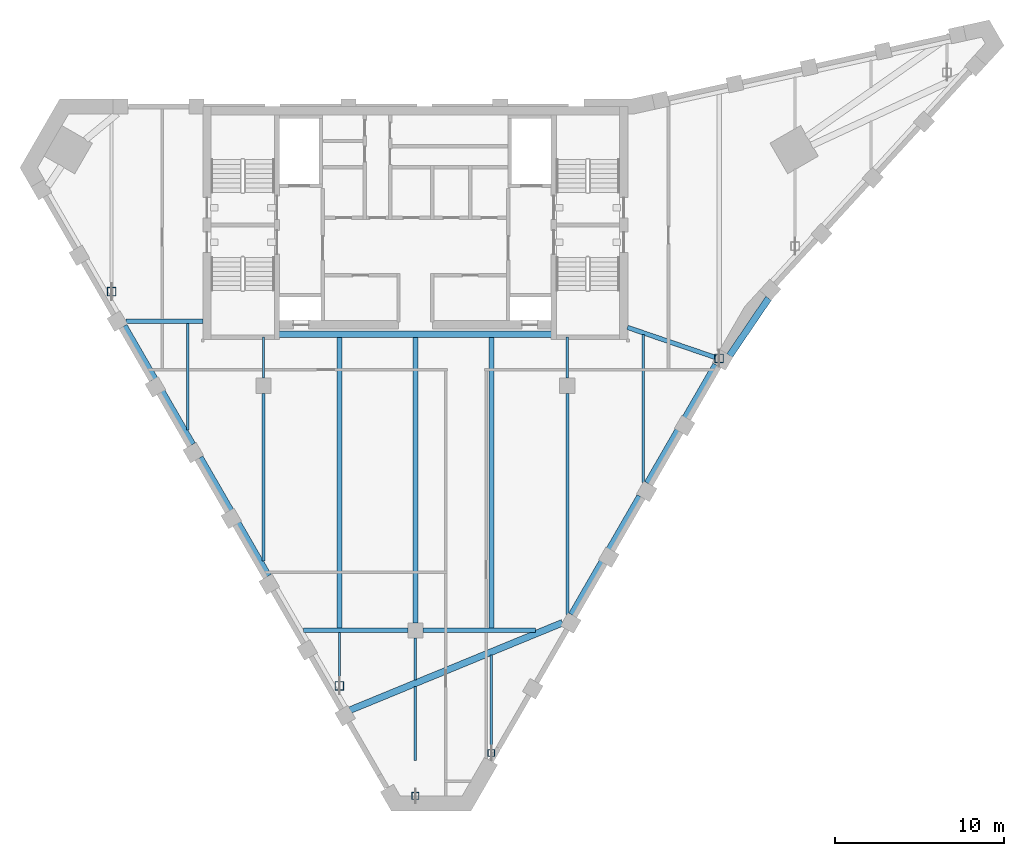
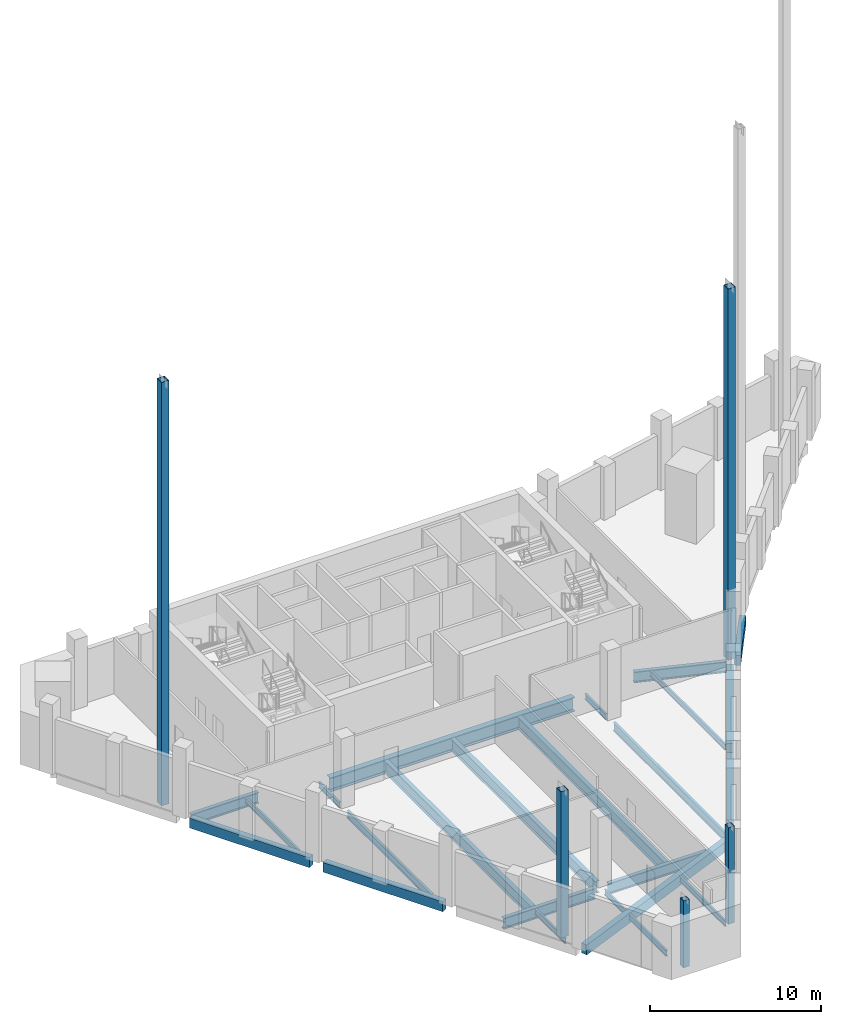
# One storey, part 2 of 11: 24 beams, 5 members.
"""IFC4 building model written with IfcOpenShell, lengths in metres."""

import ifcopenshell
import ifcopenshell.guid

model = None  # the IFC model being written
_history = None  # IfcOwnerHistory: only IFC2X3 demands one
_inside = {}  # id of a spatial element -> (the spatial element, [elements in it])
_under = {}  # id of a project, library or spatial element -> (it, [spatial elements below it])
_declared = {}  # id of a project -> (the project, [libraries it declares])
_typed = {}  # id of a type object -> (the type object, [elements of that type])
_made_of = {}  # id of a material, layer set ... -> (it, [elements and type objects made of it])


def new_model(schema):
    """Start an empty IFC model of exactly this schema.

    Asked for "IFC4X3", IfcOpenShell would pick the latest addendum, in which some entities
    have other attributes; the version numbers below select the first issue.
    IFC2X3 requires an IfcOwnerHistory on every rooted entity: one is made here for all.
    """
    global model, _history
    if schema == "IFC4X3":
        model = ifcopenshell.file(schema_version=(4, 3, 0, 0))
    else:
        model = ifcopenshell.file(schema=schema)
    _inside.clear()
    _under.clear()
    _declared.clear()
    _typed.clear()
    _made_of.clear()
    _history = None
    if model.schema == "IFC2X3":
        org = make("IfcOrganization", Name="unknown")
        user = make(
            "IfcPersonAndOrganization",
            ThePerson=make("IfcPerson", FamilyName="unknown"),
            TheOrganization=org,
        )
        app = make(
            "IfcApplication",
            ApplicationDeveloper=org,
            Version="unknown",
            ApplicationFullName="unknown",
            ApplicationIdentifier="unknown",
        )
        _history = make(
            "IfcOwnerHistory",
            OwningUser=user,
            OwningApplication=app,
            ChangeAction="ADDED",
            CreationDate=0,
        )
    return model


def make(cls, **values):
    """One entity of the class cls with the attributes given. An attribute that is None is left unset."""
    return model.create_entity(
        cls, **{name: value for name, value in values.items() if value is not None}
    )


def rooted(cls, **values):
    """An entity with a GlobalId (a new one), such as an element, a storey or a relation."""
    return make(cls, GlobalId=ifcopenshell.guid.new(), OwnerHistory=_history, **values)


def si_unit(unit_type, name, prefix=None):
    """IfcSIUnit, for example si_unit("LENGTHUNIT", "METRE", prefix="MILLI")."""
    return make("IfcSIUnit", UnitType=unit_type, Prefix=prefix, Name=name)


def assignment(units):
    """IfcUnitAssignment: the units of a project."""
    return None if units is None else make("IfcUnitAssignment", Units=units)


def point(xyz):
    """IfcCartesianPoint."""
    return None if xyz is None else make("IfcCartesianPoint", Coordinates=xyz)


def direction(xyz):
    """IfcDirection."""
    return None if xyz is None else make("IfcDirection", DirectionRatios=xyz)


def frame(location, z_axis=None, x_axis=None):
    """IfcAxis2Placement3D, a coordinate frame: its origin and axes. An axis left out is left unset."""
    return make(
        "IfcAxis2Placement3D",
        Location=point(location),
        Axis=direction(z_axis),
        RefDirection=direction(x_axis),
    )


def frame_2d(location, x_axis=None):
    """IfcAxis2Placement2D, a coordinate frame in the plane: its origin and x axis."""
    return make(
        "IfcAxis2Placement2D", Location=point(location), RefDirection=direction(x_axis)
    )


def origin():
    """The frame at (0, 0, 0) with its axes left unset."""
    return frame((0.0, 0.0, 0.0))


def origin_2d():
    """The frame at (0, 0) in the plane with its x axis left unset."""
    return frame_2d((0.0, 0.0))


def place(relative_to, where):
    """IfcLocalPlacement: puts the frame where relative to a parent placement (None: the world)."""
    return make(
        "IfcLocalPlacement", PlacementRelTo=relative_to, RelativePlacement=where
    )


def context(
    kind, dimensions, precision=None, world=None, true_north=None, identifier=None
):
    """IfcGeometricRepresentationContext, for example the 3D "Model" context."""
    return make(
        "IfcGeometricRepresentationContext",
        ContextIdentifier=identifier,
        ContextType=kind,
        CoordinateSpaceDimension=dimensions,
        Precision=precision,
        WorldCoordinateSystem=world,
        TrueNorth=true_north,
    )


def subcontext(parent, identifier, kind, view, scale=None):
    """IfcGeometricRepresentationSubContext, for example "Body" below "Model"."""
    return make(
        "IfcGeometricRepresentationSubContext",
        ContextIdentifier=identifier,
        ContextType=kind,
        ParentContext=parent,
        TargetScale=scale,
        TargetView=view,
    )


def project(units=None, contexts=None):
    """IfcProject with its units and contexts."""
    return rooted(
        "IfcProject",
        Name="project",
        RepresentationContexts=contexts,
        UnitsInContext=assignment(units),
    )


def spatial(cls, under=None, at=None, **own):
    """A site, building, storey or space (cls), placed at a placement, below another one or the project."""
    s = rooted(cls, ObjectPlacement=at, **own)
    if under is not None:
        _under.setdefault(under.id(), (under, []))[1].append(s)
    return s


def profile(cls, at=None, kind="AREA", **sizes):
    """A parametric profile (cls). Its sizes go by their IFC names, for example OverallWidth=200.0."""
    return make(cls, ProfileType=kind, Position=at, **sizes)


def rectangle(**sizes):
    """IfcRectangleProfileDef."""
    return profile("IfcRectangleProfileDef", **sizes)


def hollow_rectangle(**sizes):
    """IfcRectangleHollowProfileDef."""
    return profile("IfcRectangleHollowProfileDef", **sizes)


def i_section(**sizes):
    """IfcIShapeProfileDef."""
    return profile("IfcIShapeProfileDef", **sizes)


def extrude(swept, where, along, depth):
    """IfcExtrudedAreaSolid: the profile swept, set in the frame where, extruded along a direction by depth."""
    return make(
        "IfcExtrudedAreaSolid",
        SweptArea=swept,
        Position=where,
        ExtrudedDirection=direction(along),
        Depth=depth,
    )


def shape(context_of_items, identifier, shape_type, items):
    """IfcShapeRepresentation: the items that make up one representation, for example the "Body"."""
    return make(
        "IfcShapeRepresentation",
        ContextOfItems=context_of_items,
        RepresentationIdentifier=identifier,
        RepresentationType=shape_type,
        Items=items,
    )


def material(Name=None, Category=None):
    """IfcMaterial."""
    return make("IfcMaterial", Name=Name, Category=Category)


def material_profile(
    of_material, cross_section, Name=None, Category=None, Priority=None
):
    """IfcMaterialProfile: a cross section and its material."""
    return make(
        "IfcMaterialProfile",
        Name=Name,
        Material=of_material,
        Profile=cross_section,
        Priority=Priority,
        Category=Category,
    )


def profile_set(profiles, Name=None, composite=None):
    """IfcMaterialProfileSet."""
    return make(
        "IfcMaterialProfileSet",
        Name=Name,
        MaterialProfiles=profiles,
        CompositeProfile=composite,
    )


def made_of(thing, what):
    """Note that an element or type object is made of a material, layer set ...; save() writes the relation."""
    if what is not None:
        _made_of.setdefault(what.id(), (what, []))[1].append(thing)
    return thing


def type_object(cls, material=None, **own):
    """A type object (cls), such as IfcWallType, which elements share."""
    return made_of(rooted(cls, **own), material)


def element(
    cls,
    number,
    at=None,
    inside=None,
    cuts=None,
    type_object=None,
    material=None,
    context=None,
    identifier="Body",
    shape_type=None,
    held_by="IfcProductDefinitionShape",
    body=None,
    shapes=None,
    **own,
):
    """One element of the class cls, such as IfcWall. Its Tag is "e" and its number.

    at: its placement. inside: the storey or other place that contains it. cuts: it is an
    opening in that element (IfcRelVoidsElement). A single representation is given by context,
    identifier, shape_type and body (its items); several are given by shapes. held_by: the class
    of the entity that holds the representations. save() writes the other relations.
    """
    e = rooted(cls, Tag="e%d" % number, ObjectPlacement=at, **own)
    if body is not None:
        shapes = [shape(context, identifier, shape_type, body)]
    if shapes is not None:
        e.Representation = make(held_by, Representations=shapes)
    if inside is not None:
        _inside.setdefault(inside.id(), (inside, []))[1].append(e)
    if cuts is not None:
        rooted(
            "IfcRelVoidsElement", RelatingBuildingElement=cuts, RelatedOpeningElement=e
        )
    if type_object is not None:
        _typed.setdefault(type_object.id(), (type_object, []))[1].append(e)
    return made_of(e, material)


def aggregate(whole, parts):
    """IfcRelAggregates: a whole, such as a stair, and the parts it consists of."""
    return rooted("IfcRelAggregates", RelatingObject=whole, RelatedObjects=parts)


def save(model, path):
    """Write the relations noted so far, then the file.

    IfcRelAggregates (storeys below a building ...), IfcRelContainedInSpatialStructure (elements
    in a storey), IfcRelDefinesByType, IfcRelAssociatesMaterial and IfcRelDeclares: one each for
    every whole, place, type object, material and project.
    """
    for whole, parts in _under.values():
        aggregate(whole, parts)
    for where, things in _inside.values():
        rooted(
            "IfcRelContainedInSpatialStructure",
            RelatedElements=things,
            RelatingStructure=where,
        )
    for kind, things in _typed.values():
        rooted("IfcRelDefinesByType", RelatedObjects=things, RelatingType=kind)
    for what, things in _made_of.values():
        rooted("IfcRelAssociatesMaterial", RelatedObjects=things, RelatingMaterial=what)
    for by, libraries in _declared.values():
        rooted("IfcRelDeclares", RelatingContext=by, RelatedDefinitions=libraries)
    model.write(path)


model = new_model("IFC4")

# Units and contexts
model_context = context("Model", 3, precision=1e-05, world=origin(), true_north=direction((0.0, 1.0)))
body_context = subcontext(model_context, "Body", "Model", "MODEL_VIEW")
ifc_project = project(units=[si_unit("LENGTHUNIT", "METRE"), si_unit("AREAUNIT", "SQUARE_METRE"), si_unit("VOLUMEUNIT", "CUBIC_METRE"), si_unit("PLANEANGLEUNIT", "RADIAN"), si_unit("MASSUNIT", "GRAM", prefix="KILO")], contexts=[model_context])

# Site, building, storey
site_placement = place(None, origin())
site = spatial("IfcSite", under=ifc_project, at=site_placement, CompositionType="ELEMENT")
building_placement = place(site_placement, origin())
building = spatial("IfcBuilding", under=site, at=building_placement, Name="Calabash Gate Tower", CompositionType="ELEMENT")
storey_placement = place(building_placement, frame((0.0, 0.0, 310.5)))
storey = spatial("IfcBuildingStorey", under=building, at=storey_placement, Name="L73", CompositionType="ELEMENT", Elevation=310.5)

# Beams
ifc_material_1 = material(Name="Concrete C50/60", Category="concrete")
ifc_material_profile_1 = material_profile(ifc_material_1, rectangle(XDim=0.39990234375, YDim=0.699951171875, at=origin_2d()))
ifc_profile_set_1 = profile_set([ifc_material_profile_1], Name="Concrete C50/60")
beam_type_1 = type_object("IfcBeamType", Name="Edge beam RC 400x700 Concrete C50/60", PredefinedType="BEAM", material=ifc_profile_set_1)
beam_1_placement = place(storey_placement, frame((-12.763916015625, -1.758056640625, -0.550048828125), z_axis=(0.499977274689, -0.866038523851, 0.0), x_axis=(0.866038523851, 0.499977274689, 0.0)))
element("IfcBeam", 1, at=beam_1_placement, inside=storey, type_object=beam_type_1, Name="Edge beam L73 1", PredefinedType="BEAM", context=body_context, shape_type="SweptSolid", body=[
    extrude(rectangle(XDim=0.39990234375, YDim=0.699951171875, at=origin_2d()), origin(), (0.0, 0.0, 1.0), 8.10009765625),
])
beam_2_placement = place(storey_placement, frame((-3.8720703125, -16.721923828125, -0.550048828125), z_axis=(0.924833247813, 0.38037279574, 0.0), x_axis=(-0.38037279574, 0.924833247813, 0.0)))
element("IfcBeam", 2, at=beam_2_placement, inside=storey, type_object=beam_type_1, Name="Edge beam L73 3", PredefinedType="BEAM", context=body_context, shape_type="SweptSolid", body=[
    extrude(rectangle(XDim=0.39990234375, YDim=0.699951171875, at=origin_2d()), origin(), (0.0, 0.0, 1.0), 13.615478515625),
])
beam_3_placement = place(storey_placement, frame((9.260009765625, -11.069091796875, -0.550048828125), z_axis=(0.499986829629, 0.866033007568, 0.0), x_axis=(-0.866033007568, 0.499986829629, 0.0)))
element("IfcBeam", 3, at=beam_3_placement, inside=storey, type_object=beam_type_1, Name="Edge beam L73 4", PredefinedType="BEAM", context=body_context, shape_type="SweptSolid", body=[
    extrude(rectangle(XDim=0.39990234375, YDim=0.699951171875, at=origin_2d()), origin(), (0.0, 0.0, 1.0), 8.100341796875),
])
beam_4_placement = place(storey_placement, frame((13.760009765625, -3.27294921875, -0.550048828125), z_axis=(0.500104308266, 0.865965173003, 0.0), x_axis=(-0.865965173003, 0.500104308266, 0.0)))
element("IfcBeam", 4, at=beam_4_placement, inside=storey, type_object=beam_type_1, Name="Edge beam L73 5", PredefinedType="BEAM", context=body_context, shape_type="SweptSolid", body=[
    extrude(rectangle(XDim=0.39990234375, YDim=0.699951171875, at=origin_2d()), origin(), (0.0, 0.0, 1.0), 8.098388671875),
])
beam_5_placement = place(storey_placement, frame((18.623046875, 4.283935546875, -0.550048828125), z_axis=(0.561853107026, 0.827237019315, 0.0), x_axis=(-0.827237019315, 0.561853107026, 0.0)))
element("IfcBeam", 5, at=beam_5_placement, inside=storey, type_object=beam_type_1, Name="Edge beam L73 6", PredefinedType="BEAM", context=body_context, shape_type="SweptSolid", body=[
    extrude(rectangle(XDim=0.39990234375, YDim=0.699951171875, at=origin_2d()), origin(), (0.0, 0.0, 1.0), 4.107666015625),
])
beam_6_placement = place(storey_placement, frame((-17.263916015625, 6.035888671875, -0.550048828125), z_axis=(0.499977274689, -0.866038523851, 0.0), x_axis=(0.866038523851, 0.499977274689, 0.0)))
element("IfcBeam", 6, at=beam_6_placement, inside=storey, type_object=beam_type_1, Name="Edge beam L73 16", PredefinedType="BEAM", context=body_context, shape_type="SweptSolid", body=[
    extrude(rectangle(XDim=0.39990234375, YDim=0.699951171875, at=origin_2d()), origin(), (0.0, 0.0, 1.0), 8.10009765625),
])
ifc_material_2 = material(Name="Steel ASTM A992 Gr50", Category="steel")
ifc_material_profile_2 = material_profile(ifc_material_2, i_section(OverallWidth=0.1396484375, OverallDepth=0.398681640625, WebThickness=0.00634765625, FlangeThickness=0.0087890625, FilletRadius=0.01025390625, at=origin_2d()))
ifc_profile_set_2 = profile_set([ifc_material_profile_2], Name="Steel ASTM A992 Gr50")
beam_type_2 = type_object("IfcBeamType", Name="Floor beam W16x26 ASTM A992 Gr50", PredefinedType="BEAM", material=ifc_profile_set_2)
beam_7_placement = place(storey_placement, frame((-13.5, -0.113037109375, -0.39892578125), z_axis=(0.0, 1.0, 0.0), x_axis=(-1.0, 0.0, 0.0)))
element("IfcBeam", 7, at=beam_7_placement, inside=storey, type_object=beam_type_2, Name="Floor beam L73 2", PredefinedType="BEAM", context=body_context, shape_type="SweptSolid", body=[
    extrude(i_section(OverallWidth=0.1396484375, OverallDepth=0.398681640625, WebThickness=0.00634765625, FlangeThickness=0.0087890625, FilletRadius=0.01025390625, at=origin_2d()), origin(), (0.0, 0.0, 1.0), 6.304931640625),
])
beam_8_placement = place(storey_placement, frame((-9.0, 2.949951171875, -0.39892578125), z_axis=(0.0, 1.0, 0.0), x_axis=(-1.0, 0.0, 0.0)))
element("IfcBeam", 8, at=beam_8_placement, inside=storey, type_object=beam_type_2, Name="Floor beam L73 4", PredefinedType="BEAM", context=body_context, shape_type="SweptSolid", body=[
    extrude(i_section(OverallWidth=0.1396484375, OverallDepth=0.398681640625, WebThickness=0.00634765625, FlangeThickness=0.0087890625, FilletRadius=0.01025390625, at=origin_2d()), origin(), (0.0, 0.0, 1.0), 2.453125),
])
beam_9_placement = place(storey_placement, frame((-4.5, -15.68310546875, -0.39892578125), z_axis=(0.0, 1.0, 0.0), x_axis=(-1.0, 0.0, 0.0)))
element("IfcBeam", 9, at=beam_9_placement, inside=storey, type_object=beam_type_2, Name="Floor beam L73 5", PredefinedType="BEAM", context=body_context, shape_type="SweptSolid", body=[
    extrude(i_section(OverallWidth=0.1396484375, OverallDepth=0.398681640625, WebThickness=0.00634765625, FlangeThickness=0.0087890625, FilletRadius=0.01025390625, at=origin_2d()), origin(), (0.0, 0.0, 1.0), 3.550048828125),
])
beam_10_placement = place(storey_placement, frame((0.0, -19.716064453125, -0.39892578125), z_axis=(0.0, 1.0, 0.0), x_axis=(-1.0, 0.0, 0.0)))
element("IfcBeam", 10, at=beam_10_placement, inside=storey, type_object=beam_type_2, Name="Floor beam L73 7", PredefinedType="BEAM", context=body_context, shape_type="SweptSolid", body=[
    extrude(i_section(OverallWidth=0.1396484375, OverallDepth=0.398681640625, WebThickness=0.00634765625, FlangeThickness=0.0087890625, FilletRadius=0.01025390625, at=origin_2d()), origin(), (0.0, 0.0, 1.0), 4.403076171875),
])
beam_11_placement = place(storey_placement, frame((0.0, -14.943115234375, -0.39892578125), z_axis=(0.0, 1.0, 0.0), x_axis=(-1.0, 0.0, 0.0)))
element("IfcBeam", 11, at=beam_11_placement, inside=storey, type_object=beam_type_2, Name="Floor beam L73 8", PredefinedType="BEAM", context=body_context, shape_type="SweptSolid", body=[
    extrude(i_section(OverallWidth=0.1396484375, OverallDepth=0.398681640625, WebThickness=0.00634765625, FlangeThickness=0.0087890625, FilletRadius=0.01025390625, at=origin_2d()), origin(), (0.0, 0.0, 1.0), 2.4931640625),
])
beam_12_placement = place(storey_placement, frame((4.5, -18.8330078125, -0.39892578125), z_axis=(0.0, 1.0, 0.0), x_axis=(-1.0, 0.0, 0.0)))
element("IfcBeam", 12, at=beam_12_placement, inside=storey, type_object=beam_type_2, Name="Floor beam L73 10", PredefinedType="BEAM", context=body_context, shape_type="SweptSolid", body=[
    extrude(i_section(OverallWidth=0.1396484375, OverallDepth=0.398681640625, WebThickness=0.00634765625, FlangeThickness=0.0087890625, FilletRadius=0.01025390625, at=origin_2d()), origin(), (0.0, 0.0, 1.0), 5.3701171875),
])
beam_13_placement = place(storey_placement, frame((9.0, 2.949951171875, -0.39892578125), z_axis=(0.0, 1.0, 0.0), x_axis=(-1.0, 0.0, 0.0)))
element("IfcBeam", 13, at=beam_13_placement, inside=storey, type_object=beam_type_2, Name="Floor beam L73 13", PredefinedType="BEAM", context=body_context, shape_type="SweptSolid", body=[
    extrude(i_section(OverallWidth=0.1396484375, OverallDepth=0.398681640625, WebThickness=0.00634765625, FlangeThickness=0.0087890625, FilletRadius=0.01025390625, at=origin_2d()), origin(), (0.0, 0.0, 1.0), 2.453125),
])
beam_14_placement = place(storey_placement, frame((13.5, -3.237060546875, -0.39892578125), z_axis=(0.0, 1.0, 0.0), x_axis=(-1.0, 0.0, 0.0)))
element("IfcBeam", 14, at=beam_14_placement, inside=storey, type_object=beam_type_2, Name="Floor beam L73 14", PredefinedType="BEAM", context=body_context, shape_type="SweptSolid", body=[
    extrude(i_section(OverallWidth=0.1396484375, OverallDepth=0.398681640625, WebThickness=0.00634765625, FlangeThickness=0.0087890625, FilletRadius=0.01025390625, at=origin_2d()), origin(), (0.0, 0.0, 1.0), 8.76806640625),
])
ifc_material_3 = material(Name="Steel ASTM A992 Gr50", Category="steel")
ifc_material_profile_3 = material_profile(ifc_material_3, i_section(OverallWidth=0.166015625, OverallDepth=0.5283203125, WebThickness=0.009765625, FlangeThickness=0.013671875, FilletRadius=0.0126953125, at=origin_2d()))
ifc_profile_set_3 = profile_set([ifc_material_profile_3], Name="Steel ASTM A992 Gr50")
beam_type_3 = type_object("IfcBeamType", Name="Floor beam W21x50 ASTM A992 Gr50", PredefinedType="BEAM", material=ifc_profile_set_3)
beam_15_placement = place(storey_placement, frame((-9.0, -7.888916015625, -0.464111328125), z_axis=(0.0, 1.0, 0.0), x_axis=(-1.0, 0.0, 0.0)))
element("IfcBeam", 15, at=beam_15_placement, inside=storey, type_object=beam_type_3, Name="Floor beam L73 3", PredefinedType="BEAM", context=body_context, shape_type="SweptSolid", body=[
    extrude(i_section(OverallWidth=0.166015625, OverallDepth=0.5283203125, WebThickness=0.009765625, FlangeThickness=0.013671875, FilletRadius=0.0126953125, at=origin_2d()), origin(), (0.0, 0.0, 1.0), 9.93896484375),
])
ifc_material_4 = material(Name="Steel ASTM A992 Gr50", Category="steel")
ifc_material_profile_4 = material_profile(ifc_material_4, i_section(OverallWidth=0.1787109375, OverallDepth=0.60205078125, WebThickness=0.010986328125, FlangeThickness=0.014892578125, FilletRadius=0.0126953125, at=origin_2d()))
ifc_profile_set_4 = profile_set([ifc_material_profile_4], Name="Steel ASTM A992 Gr50")
beam_type_4 = type_object("IfcBeamType", Name="Floor beam W24x62 ASTM A992 Gr50", PredefinedType="BEAM", material=ifc_profile_set_4)
beam_16_placement = place(storey_placement, frame((9.0, -11.051025390625, -0.5009765625), z_axis=(0.0, 1.0, 0.0), x_axis=(-1.0, 0.0, 0.0)))
element("IfcBeam", 16, at=beam_16_placement, inside=storey, type_object=beam_type_4, Name="Floor beam L73 12", PredefinedType="BEAM", context=body_context, shape_type="SweptSolid", body=[
    extrude(i_section(OverallWidth=0.1787109375, OverallDepth=0.60205078125, WebThickness=0.010986328125, FlangeThickness=0.014892578125, FilletRadius=0.0126953125, at=origin_2d()), origin(), (0.0, 0.0, 1.0), 13.10107421875),
])
ifc_material_5 = material(Name="Steel ASTM A992 Gr50", Category="steel")
ifc_material_profile_5 = material_profile(ifc_material_5, i_section(OverallWidth=0.2919921875, OverallDepth=0.845703125, WebThickness=0.015380859375, FlangeThickness=0.0244140625, FilletRadius=0.017822265625, at=origin_2d()))
ifc_profile_set_5 = profile_set([ifc_material_profile_5], Name="Steel ASTM A992 Gr50")
beam_type_5 = type_object("IfcBeamType", Name="Floor beam W33x141 ASTM A992 Gr50", PredefinedType="BEAM", material=ifc_profile_set_5)
beam_17_placement = place(storey_placement, frame((-4.5, -11.866943359375, -0.623046875), z_axis=(0.0, 1.0, 0.0), x_axis=(-1.0, 0.0, 0.0)))
element("IfcBeam", 17, at=beam_17_placement, inside=storey, type_object=beam_type_5, Name="Floor beam L73 6", PredefinedType="BEAM", context=body_context, shape_type="SweptSolid", body=[
    extrude(i_section(OverallWidth=0.2919921875, OverallDepth=0.845703125, WebThickness=0.015380859375, FlangeThickness=0.0244140625, FilletRadius=0.017822265625, at=origin_2d()), origin(), (0.0, 0.0, 1.0), 17.218994140625),
])
beam_18_placement = place(storey_placement, frame((0.0, -11.550048828125, -0.623046875), z_axis=(0.0, 1.0, 0.0), x_axis=(-1.0, 0.0, 0.0)))
element("IfcBeam", 18, at=beam_18_placement, inside=storey, type_object=beam_type_5, Name="Floor beam L73 9", PredefinedType="BEAM", context=body_context, shape_type="SweptSolid", body=[
    extrude(i_section(OverallWidth=0.2919921875, OverallDepth=0.845703125, WebThickness=0.015380859375, FlangeThickness=0.0244140625, FilletRadius=0.017822265625, at=origin_2d()), origin(), (0.0, 0.0, 1.0), 16.902099609375),
])
beam_19_placement = place(storey_placement, frame((4.5, -11.866943359375, -0.623046875), z_axis=(0.0, 1.0, 0.0), x_axis=(-1.0, 0.0, 0.0)))
element("IfcBeam", 19, at=beam_19_placement, inside=storey, type_object=beam_type_5, Name="Floor beam L73 11", PredefinedType="BEAM", context=body_context, shape_type="SweptSolid", body=[
    extrude(i_section(OverallWidth=0.2919921875, OverallDepth=0.845703125, WebThickness=0.015380859375, FlangeThickness=0.0244140625, FilletRadius=0.017822265625, at=origin_2d()), origin(), (0.0, 0.0, 1.0), 17.218994140625),
])
ifc_material_6 = material(Name="Steel ASTM A992 Gr50", Category="steel")
ifc_material_profile_6 = material_profile(ifc_material_6, i_section(OverallWidth=0.2666015625, OverallDepth=0.77978515625, WebThickness=0.0166015625, FlangeThickness=0.030029296875, FilletRadius=0.0166015625, at=origin_2d()))
ifc_profile_set_6 = profile_set([ifc_material_profile_6], Name="Steel ASTM A992 Gr50")
beam_type_6 = type_object("IfcBeamType", Name="Girder W30x148 ASTM A992 Gr50", PredefinedType="BEAM", material=ifc_profile_set_6)
beam_20_placement = place(storey_placement, frame((-17.1640625, 6.325927734375, -0.590087890625), z_axis=(1.0, 0.0, 0.0), x_axis=(0.0, 1.0, 0.0)))
element("IfcBeam", 20, at=beam_20_placement, inside=storey, type_object=beam_type_6, Name="Girder L73 2", PredefinedType="BEAM", context=body_context, shape_type="SweptSolid", body=[
    extrude(i_section(OverallWidth=0.2666015625, OverallDepth=0.77978515625, WebThickness=0.0166015625, FlangeThickness=0.030029296875, FilletRadius=0.0166015625, at=origin_2d()), origin(), (0.0, 0.0, 1.0), 4.56396484375),
])
beam_21_placement = place(storey_placement, frame((17.803955078125, 4.16796875, -0.590087890625), z_axis=(-0.946191727355, 0.323606574539, 0.0), x_axis=(-0.323606574539, -0.946191727355, 0.0)))
element("IfcBeam", 21, at=beam_21_placement, inside=storey, type_object=beam_type_6, Name="Girder L73 3", PredefinedType="BEAM", context=body_context, shape_type="SweptSolid", body=[
    extrude(i_section(OverallWidth=0.2666015625, OverallDepth=0.77978515625, WebThickness=0.0166015625, FlangeThickness=0.030029296875, FilletRadius=0.0166015625, at=origin_2d()), origin(), (0.0, 0.0, 1.0), 5.531494140625),
])
beam_22_placement = place(storey_placement, frame((-6.632080078125, -12.0, -0.590087890625), z_axis=(1.0, 0.0, 0.0), x_axis=(0.0, 1.0, 0.0)))
element("IfcBeam", 22, at=beam_22_placement, inside=storey, type_object=beam_type_6, Name="Girder L73 4", PredefinedType="BEAM", context=body_context, shape_type="SweptSolid", body=[
    extrude(i_section(OverallWidth=0.2666015625, OverallDepth=0.77978515625, WebThickness=0.0166015625, FlangeThickness=0.030029296875, FilletRadius=0.0166015625, at=origin_2d()), origin(), (0.0, 0.0, 1.0), 6.18212890625),
])
beam_23_placement = place(storey_placement, frame((0.449951171875, -12.0, -0.590087890625), z_axis=(1.0, 0.0, 0.0), x_axis=(0.0, 1.0, 0.0)))
element("IfcBeam", 23, at=beam_23_placement, inside=storey, type_object=beam_type_6, Name="Girder L73 5", PredefinedType="BEAM", context=body_context, shape_type="SweptSolid", body=[
    extrude(i_section(OverallWidth=0.2666015625, OverallDepth=0.77978515625, WebThickness=0.0166015625, FlangeThickness=0.030029296875, FilletRadius=0.0166015625, at=origin_2d()), origin(), (0.0, 0.0, 1.0), 6.666015625),
])
ifc_material_7 = material(Name="Steel ASTM A992 Gr50", Category="steel")
ifc_material_profile_7 = material_profile(ifc_material_7, i_section(OverallWidth=0.4013671875, OverallDepth=1.000732421875, WebThickness=0.01904296875, FlangeThickness=0.0361328125, FilletRadius=0.030029296875, at=origin_2d()))
ifc_profile_set_7 = profile_set([ifc_material_profile_7], Name="Steel ASTM A992 Gr50")
beam_type_7 = type_object("IfcBeamType", Name="Girder W40x249 ASTM A992 Gr50", PredefinedType="BEAM", material=ifc_profile_set_7)
beam_24_placement = place(storey_placement, frame((-8.25, 5.552978515625, -0.699951171875), z_axis=(1.0, 0.0, 0.0), x_axis=(0.0, 1.0, 0.0)))
element("IfcBeam", 24, at=beam_24_placement, inside=storey, type_object=beam_type_7, Name="Girder L73 1", PredefinedType="BEAM", context=body_context, shape_type="SweptSolid", body=[
    extrude(i_section(OverallWidth=0.4013671875, OverallDepth=1.000732421875, WebThickness=0.01904296875, FlangeThickness=0.0361328125, FilletRadius=0.030029296875, at=origin_2d()), origin(), (0.0, 0.0, 1.0), 16.5),
])

# Members
ifc_material_8 = material(Name="Steel ASTM A500 Gr C", Category="steel")
ifc_material_profile_8 = material_profile(ifc_material_8, hollow_rectangle(XDim=0.406494140625, YDim=0.406494140625, WallThickness=0.015869140625, at=origin_2d()))
ifc_profile_set_8 = profile_set([ifc_material_profile_8], Name="Steel ASTM A500 Gr C")
member_type_1 = type_object("IfcMemberType", Name="Roof post HSS16X16X.625 ASTM A500 Gr C", PredefinedType="POST", material=ifc_profile_set_8)
member_1_placement = place(storey_placement, frame((0.0, -21.802001953125, 0.0), z_axis=(0.0, 0.0, 1.0), x_axis=(1.0, 0.0, 0.0)))
element("IfcMember", 25, at=member_1_placement, inside=storey, type_object=member_type_1, Name="Roof post 6", PredefinedType="POST", context=body_context, shape_type="SweptSolid", body=[
    extrude(hollow_rectangle(XDim=0.406494140625, YDim=0.406494140625, WallThickness=0.015869140625, at=origin_2d()), origin(), (0.0, 0.0, 1.0), 4.78271484375),
])
member_2_placement = place(storey_placement, frame((4.5, -19.26318359375, 0.0), z_axis=(0.0, 0.0, 1.0), x_axis=(1.0, 0.0, 0.0)))
element("IfcMember", 26, at=member_2_placement, inside=storey, type_object=member_type_1, Name="Roof post 8", PredefinedType="POST", context=body_context, shape_type="SweptSolid", body=[
    extrude(hollow_rectangle(XDim=0.406494140625, YDim=0.406494140625, WallThickness=0.015869140625, at=origin_2d()), origin(), (0.0, 0.0, 1.0), 6.912841796875),
])
ifc_material_9 = material(Name="Steel ASTM A500 Gr C", Category="steel")
ifc_material_profile_9 = material_profile(ifc_material_9, hollow_rectangle(XDim=0.508056640625, YDim=0.508056640625, WallThickness=0.01904296875, at=origin_2d()))
ifc_profile_set_9 = profile_set([ifc_material_profile_9], Name="Steel ASTM A500 Gr C")
member_type_2 = type_object("IfcMemberType", Name="Roof post HSS20X20X.750 ASTM A500 Gr C", PredefinedType="POST", material=ifc_profile_set_9)
member_3_placement = place(storey_placement, frame((-18.0, 8.080078125, -0.199951171875), z_axis=(0.0, 0.0, 1.0), x_axis=(1.0, 0.0, 0.0)))
element("IfcMember", 27, at=member_3_placement, inside=storey, type_object=member_type_2, Name="Roof post 1", PredefinedType="POST", context=body_context, shape_type="SweptSolid", body=[
    extrude(hollow_rectangle(XDim=0.508056640625, YDim=0.508056640625, WallThickness=0.01904296875, at=origin_2d()), origin(), (0.0, 0.0, 1.0), 30.26708984375),
])
member_4_placement = place(storey_placement, frame((-4.5, -15.282958984375, -0.199951171875), z_axis=(0.0, 0.0, 1.0), x_axis=(1.0, 0.0, 0.0)))
element("IfcMember", 28, at=member_4_placement, inside=storey, type_object=member_type_2, Name="Roof post 3", PredefinedType="POST", context=body_context, shape_type="SweptSolid", body=[
    extrude(hollow_rectangle(XDim=0.508056640625, YDim=0.508056640625, WallThickness=0.01904296875, at=origin_2d()), origin(), (0.0, 0.0, 1.0), 10.45263671875),
])
member_5_placement = place(storey_placement, frame((18.0, 4.119384765625, 0.0), z_axis=(0.0, 0.0, 1.0), x_axis=(1.0, 0.0, 0.0)))
element("IfcMember", 29, at=member_5_placement, inside=storey, type_object=member_type_2, Name="Roof post 11", PredefinedType="POST", context=body_context, shape_type="SweptSolid", body=[
    extrude(hollow_rectangle(XDim=0.508056640625, YDim=0.508056640625, WallThickness=0.01904296875, at=origin_2d()), origin(), (0.0, 0.0, 1.0), 26.533203125),
])

save(model, "model.ifc")
